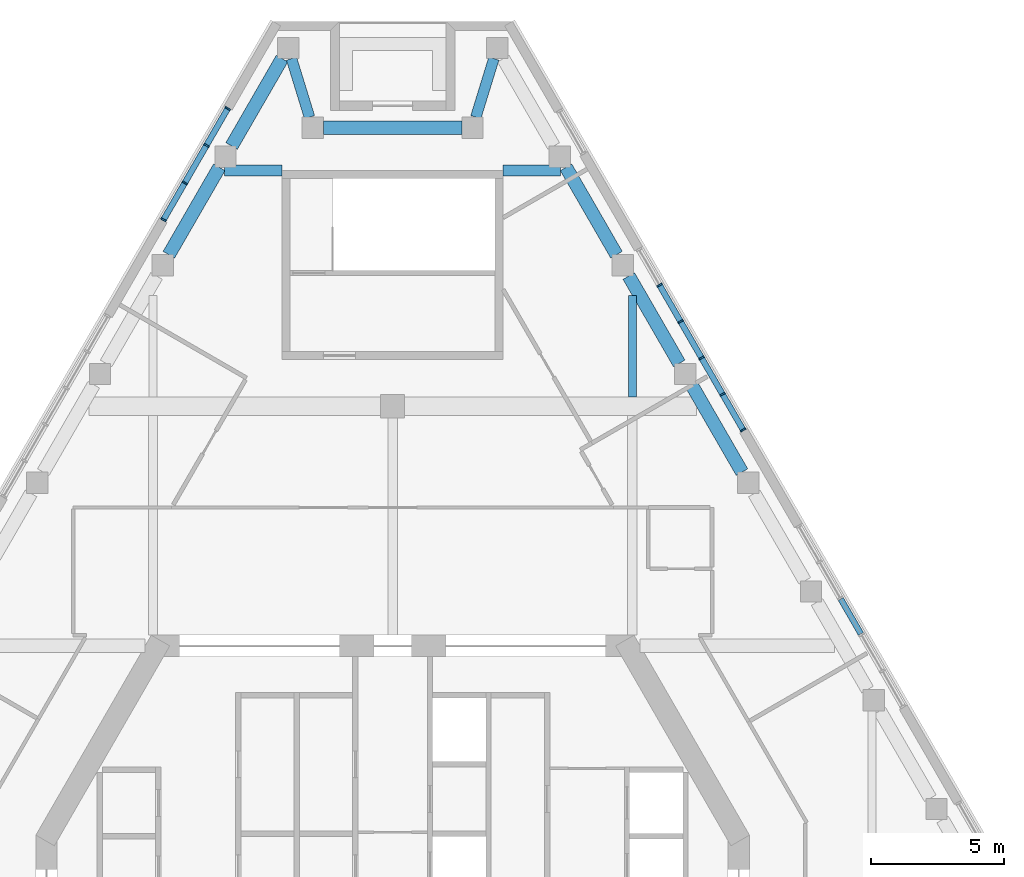
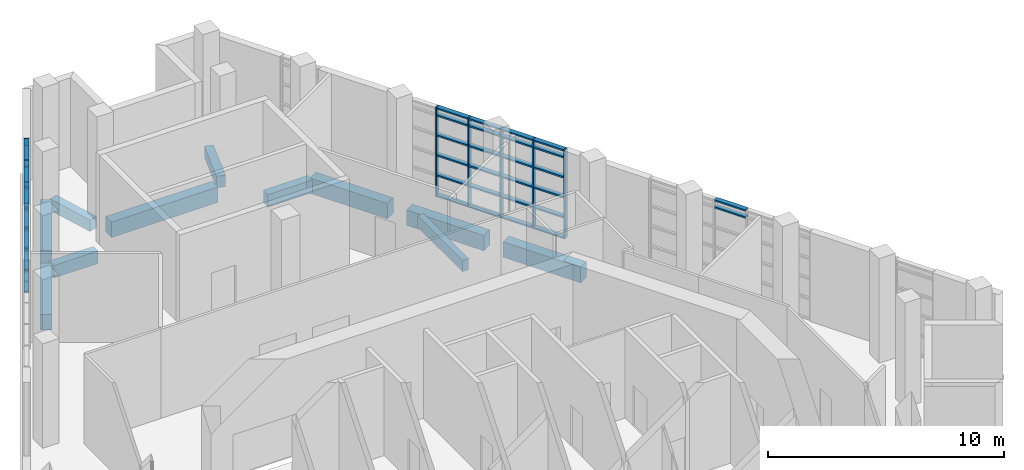
# One storey, part 5 of 13: 53 members, 11 beams, 3 elements without a shape of their own.
"""IFC4 building model written with IfcOpenShell, lengths in metres."""

from ifc_helpers import new_model, si_unit, direction, frame, origin, origin_2d, place, context, subcontext, project, spatial, rectangle, extrude, material, material_profile, profile_set, type_object, element, aggregate, save


model = new_model("IFC4")

# Units and contexts
model_context = context("Model", 3, precision=1e-05, world=origin(), true_north=direction((0.0, 1.0)))
body_context = subcontext(model_context, "Body", "Model", "MODEL_VIEW")
ifc_project = project(units=[si_unit("LENGTHUNIT", "METRE"), si_unit("AREAUNIT", "SQUARE_METRE"), si_unit("VOLUMEUNIT", "CUBIC_METRE"), si_unit("PLANEANGLEUNIT", "RADIAN"), si_unit("MASSUNIT", "GRAM", prefix="KILO")], contexts=[model_context])

# Site, building, storey
site_placement = place(None, origin())
site = spatial("IfcSite", under=ifc_project, at=site_placement, CompositionType="ELEMENT")
building_placement = place(site_placement, origin())
building = spatial("IfcBuilding", under=site, at=building_placement, Name="Fogline Exchange Tower", CompositionType="ELEMENT")
storey_placement = place(building_placement, frame((0.0, 0.0, 339.300048828125)))
storey = spatial("IfcBuildingStorey", under=building, at=storey_placement, Name="L77", CompositionType="ELEMENT", Elevation=339.300048828125)

# Beams
ifc_material_1 = material(Name="Concrete C40", Category="concrete")
ifc_material_profile_1 = material_profile(ifc_material_1, rectangle(XDim=0.300048828125, YDim=0.60009765625, at=origin_2d()), Name="RC 300x600")
ifc_profile_set_1 = profile_set([ifc_material_profile_1], Name="Concrete C40")
beam_type_1 = type_object("IfcBeamType", Name="B06", PredefinedType="BEAM", material=ifc_profile_set_1)
beam_1_placement = place(storey_placement, frame((9.0, 27.35009765625, -0.699951171875), z_axis=(0.0, 1.0, 0.0), x_axis=(-1.0, 0.0, 0.0)))
element("IfcBeam", 1, at=beam_1_placement, inside=storey, type_object=beam_type_1, Name="SB007", PredefinedType="BEAM", context=body_context, shape_type="SweptSolid", body=[
    extrude(rectangle(XDim=0.300048828125, YDim=0.60009765625, at=origin_2d()), origin(), (0.0, 0.0, 1.0), 3.812255859375),
])
ifc_material_profile_2 = material_profile(ifc_material_1, rectangle(XDim=0.5, YDim=0.800048828125, at=origin_2d()), Name="RC 500x800")
ifc_profile_set_2 = profile_set([ifc_material_profile_2], Name="Concrete C40")
beam_type_2 = type_object("IfcBeamType", Name="B10", PredefinedType="BEAM", material=ifc_profile_set_2)
for number, where, z_axis, x_axis, name in (
    (2, (13.12060546875, 24.525390625, -0.800048828125), (-0.500045805297, 0.865998956469, 0.0), (-0.865998956469, -0.500045805297, 0.0), "RB013"),
    (3, (10.76318359375, 28.608154296875, -0.800048828125), (-0.499969613651, 0.86604294664, 0.0), (-0.86604294664, -0.499969613651, 0.0), "RB014"),
    (4, (8.406005859375, 32.69091796875, -0.800048828125), (-0.499969613651, 0.86604294664, 0.0), (-0.86604294664, -0.499969613651, 0.0), "RB015"),
):
    element("IfcBeam", number, at=place(storey_placement, frame(where, z_axis=z_axis, x_axis=x_axis)), inside=storey, type_object=beam_type_2, Name=name, PredefinedType="BEAM", context=body_context, shape_type="SweptSolid", body=[
        extrude(rectangle(XDim=0.5, YDim=0.800048828125, at=origin_2d()), origin(), (0.0, 0.0, 1.0), 3.790771484375),
    ])
beam_2_placement = place(storey_placement, frame((2.60009765625, 37.456787109375, -0.800048828125), z_axis=(-1.0, 0.0, 0.0), x_axis=(0.0, -1.0, 0.0)))
element("IfcBeam", 5, at=beam_2_placement, inside=storey, type_object=beam_type_2, Name="RB018", PredefinedType="BEAM", context=body_context, shape_type="SweptSolid", body=[
    extrude(rectangle(XDim=0.5, YDim=0.800048828125, at=origin_2d()), origin(), (0.0, 0.0, 1.0), 5.2001953125),
])
for number, where, z_axis, x_axis, name in (
    (6, (-4.153564453125, 40.056640625, -0.800048828125), (-0.499969613651, -0.86604294664, 0.0), (0.86604294664, -0.499969613651, 0.0), "RB020"),
    (7, (-6.5107421875, 35.973876953125, -0.800048828125), (-0.499969613651, -0.86604294664, 0.0), (0.86604294664, -0.499969613651, 0.0), "RB021"),
):
    element("IfcBeam", number, at=place(storey_placement, frame(where, z_axis=z_axis, x_axis=x_axis)), inside=storey, type_object=beam_type_2, Name=name, PredefinedType="BEAM", context=body_context, shape_type="SweptSolid", body=[
        extrude(rectangle(XDim=0.5, YDim=0.800048828125, at=origin_2d()), origin(), (0.0, 0.0, 1.0), 3.790771484375),
    ])
ifc_material_profile_3 = material_profile(ifc_material_1, rectangle(XDim=0.39990234375, YDim=0.60009765625, at=origin_2d()), Name="RC 400x600")
ifc_profile_set_3 = profile_set([ifc_material_profile_3], Name="Concrete C40")
beam_type_3 = type_object("IfcBeamType", Name="B11", PredefinedType="BEAM", material=ifc_profile_set_3)
for number, where, z_axis, x_axis, name in (
    (8, (3.799560546875, 40.056640625, -0.699951171875), (-0.293929314998, -0.955827158949, 0.0), (0.955827158949, -0.293929314998, 0.0), "RB017"),
    (9, (-3.123046875, 37.856689453125, -0.699951171875), (-0.293929314998, 0.955827158949, 0.0), (-0.955827158949, -0.293929314998, 0.0), "RB019"),
):
    element("IfcBeam", number, at=place(storey_placement, frame(where, z_axis=z_axis, x_axis=x_axis)), inside=storey, type_object=beam_type_3, Name=name, PredefinedType="BEAM", context=body_context, shape_type="SweptSolid", body=[
        extrude(rectangle(XDim=0.39990234375, YDim=0.60009765625, at=origin_2d()), origin(), (0.0, 0.0, 1.0), 2.301513671875),
    ])
ifc_material_profile_4 = material_profile(ifc_material_1, rectangle(XDim=0.39990234375, YDim=0.64990234375, at=origin_2d()), Name="RC 400x650")
ifc_profile_set_4 = profile_set([ifc_material_profile_4], Name="Concrete C40")
beam_type_4 = type_object("IfcBeamType", Name="B13", PredefinedType="BEAM", material=ifc_profile_set_4)
for number, where, z_axis, x_axis, name in (
    (10, (-6.308349609375, 35.85693359375, -0.72509765625), (1.0, 0.0, 0.0), (0.0, 1.0, 0.0), "GB007"),
    (11, (4.14990234375, 35.85693359375, -0.72509765625), (1.0, 0.0, 0.0), (0.0, 1.0, 0.0), "GB008"),
):
    element("IfcBeam", number, at=place(storey_placement, frame(where, z_axis=z_axis, x_axis=x_axis)), inside=storey, type_object=beam_type_4, Name=name, PredefinedType="BEAM", context=body_context, shape_type="SweptSolid", body=[
        extrude(rectangle(XDim=0.39990234375, YDim=0.64990234375, at=origin_2d()), origin(), (0.0, 0.0, 1.0), 2.158447265625),
    ])

# Curtain wall, members
ifc_material_2 = material(Name="Aluminium and glass", Category="aluminium")
curtain_wall_type = type_object("IfcCurtainWallType", Name="CW5", PredefinedType="NOTDEFINED", material=ifc_material_2)
curtain_wall_1_placement = place(storey_placement, origin())
curtain_wall_1 = element("IfcCurtainWall", 12, at=curtain_wall_1_placement, inside=storey, type_object=curtain_wall_type, Name="CW5 L77 E run 3", PredefinedType="NOTDEFINED")
ifc_material_3 = material(Name="Aluminium", Category="aluminium")
ifc_material_profile_5 = material_profile(ifc_material_3, rectangle(XDim=0.219970703125, YDim=0.06494140625, at=origin_2d()), Name="Mullion 65x220")
ifc_profile_set_5 = profile_set([ifc_material_profile_5], Name="Aluminium")
member_type_1 = type_object("IfcMemberType", Name="CW5-M", PredefinedType="MULLION", material=ifc_profile_set_5)
member_1_placement = place(storey_placement, frame((13.162841796875, 26.1123046875, 0.0), z_axis=(0.0, 0.0, 1.0), x_axis=(-0.866025393993, -0.500000016959, 0.0)))
member_1 = element("IfcMember", 13, at=member_1_placement, type_object=member_type_1, Name="CW5-T25-04 mullion 1", PredefinedType="MULLION", context=body_context, shape_type="SweptSolid", body=[
    extrude(rectangle(XDim=0.219970703125, YDim=0.06494140625, at=origin_2d()), origin(), (0.0, 0.0, 1.0), 4.599853515625),
])
member_2_placement = place(storey_placement, frame((12.390625, 27.449951171875, 0.0), z_axis=(0.0, 0.0, 1.0), x_axis=(-0.866025393993, -0.500000016959, 0.0)))
member_2 = element("IfcMember", 14, at=member_2_placement, type_object=member_type_1, Name="CW5-T25-04 mullion 2", PredefinedType="MULLION", context=body_context, shape_type="SweptSolid", body=[
    extrude(rectangle(XDim=0.219970703125, YDim=0.06494140625, at=origin_2d()), origin(), (0.0, 0.0, 1.0), 4.599853515625),
])
member_3_placement = place(storey_placement, frame((11.60205078125, 28.815673828125, 0.0), z_axis=(0.0, 0.0, 1.0), x_axis=(-0.866025393993, -0.500000016959, 0.0)))
member_3 = element("IfcMember", 15, at=member_3_placement, type_object=member_type_1, Name="CW5-T25-04 mullion 3", PredefinedType="MULLION", context=body_context, shape_type="SweptSolid", body=[
    extrude(rectangle(XDim=0.219970703125, YDim=0.06494140625, at=origin_2d()), origin(), (0.0, 0.0, 1.0), 4.599853515625),
])
member_4_placement = place(storey_placement, frame((10.8134765625, 30.181396484375, 0.0), z_axis=(0.0, 0.0, 1.0), x_axis=(-0.866025393993, -0.500000016959, 0.0)))
member_4 = element("IfcMember", 16, at=member_4_placement, type_object=member_type_1, Name="CW5-T25-04 mullion 4", PredefinedType="MULLION", context=body_context, shape_type="SweptSolid", body=[
    extrude(rectangle(XDim=0.219970703125, YDim=0.06494140625, at=origin_2d()), origin(), (0.0, 0.0, 1.0), 4.599853515625),
])
member_5_placement = place(storey_placement, frame((10.025146484375, 31.547119140625, 0.0), z_axis=(0.0, 0.0, 1.0), x_axis=(-0.866025393993, -0.500000016959, 0.0)))
member_5 = element("IfcMember", 17, at=member_5_placement, type_object=member_type_1, Name="CW5-T25-04 mullion 5", PredefinedType="MULLION", context=body_context, shape_type="SweptSolid", body=[
    extrude(rectangle(XDim=0.219970703125, YDim=0.06494140625, at=origin_2d()), origin(), (0.0, 0.0, 1.0), 4.599853515625),
])

curtain_wall_2_placement = place(storey_placement, origin())
curtain_wall_2 = element("IfcCurtainWall", 18, at=curtain_wall_2_placement, inside=storey, type_object=curtain_wall_type, Name="CW5 L77 W run 1", PredefinedType="NOTDEFINED")
member_6_placement = place(storey_placement, frame((-6.1953125, 38.180419921875, 0.0), z_axis=(0.0, 0.0, 1.0), x_axis=(0.866025194083, -0.500000363213, 0.0)))
member_6 = element("IfcMember", 19, at=member_6_placement, type_object=member_type_1, Name="CW5-T25-06 mullion 1", PredefinedType="MULLION", context=body_context, shape_type="SweptSolid", body=[
    extrude(rectangle(XDim=0.219970703125, YDim=0.06494140625, at=origin_2d()), origin(), (0.0, 0.0, 1.0), 4.599853515625),
])
member_7_placement = place(storey_placement, frame((-6.9931640625, 36.79833984375, 0.0), z_axis=(0.0, 0.0, 1.0), x_axis=(0.866025194083, -0.500000363213, 0.0)))
member_7 = element("IfcMember", 20, at=member_7_placement, type_object=member_type_1, Name="CW5-T25-06 mullion 2", PredefinedType="MULLION", context=body_context, shape_type="SweptSolid", body=[
    extrude(rectangle(XDim=0.219970703125, YDim=0.06494140625, at=origin_2d()), origin(), (0.0, 0.0, 1.0), 4.599853515625),
])
member_8_placement = place(storey_placement, frame((-7.807373046875, 35.38818359375, 0.0), z_axis=(0.0, 0.0, 1.0), x_axis=(0.866025194083, -0.500000363213, 0.0)))
member_8 = element("IfcMember", 21, at=member_8_placement, type_object=member_type_1, Name="CW5-T25-06 mullion 3", PredefinedType="MULLION", context=body_context, shape_type="SweptSolid", body=[
    extrude(rectangle(XDim=0.219970703125, YDim=0.06494140625, at=origin_2d()), origin(), (0.0, 0.0, 1.0), 4.599853515625),
])
member_9_placement = place(storey_placement, frame((-8.605224609375, 34.006103515625, 0.0), z_axis=(0.0, 0.0, 1.0), x_axis=(0.866025194083, -0.500000363213, 0.0)))
member_9 = element("IfcMember", 22, at=member_9_placement, type_object=member_type_1, Name="CW5-T25-06 mullion 4", PredefinedType="MULLION", context=body_context, shape_type="SweptSolid", body=[
    extrude(rectangle(XDim=0.219970703125, YDim=0.06494140625, at=origin_2d()), origin(), (0.0, 0.0, 1.0), 4.599853515625),
])

curtain_wall_3_placement = place(storey_placement, origin())
curtain_wall_3 = element("IfcCurtainWall", 23, at=curtain_wall_3_placement, inside=storey, type_object=curtain_wall_type, Name="CW5 L77 E run 2", PredefinedType="NOTDEFINED")
ifc_material_profile_6 = material_profile(ifc_material_3, rectangle(XDim=0.219970703125, YDim=0.080078125, at=origin_2d()), Name="Transom 80x220")
ifc_profile_set_6 = profile_set([ifc_material_profile_6], Name="Aluminium")
member_type_2 = type_object("IfcMemberType", Name="CW5-T", PredefinedType="USERDEFINED", material=ifc_profile_set_6)
member_10_placement = place(storey_placement, frame((17.585693359375, 18.451416015625, 4.199951171875), z_axis=(-0.499960093054, 0.866048442845, 0.0), x_axis=(-0.866048442845, -0.499960093054, 0.0)))
member_10 = element("IfcMember", 24, at=member_10_placement, type_object=member_type_2, Name="CW5-T25-03 transom 3.5", ObjectType="TRANSOM", PredefinedType="USERDEFINED", context=body_context, shape_type="SweptSolid", body=[
    extrude(rectangle(XDim=0.219970703125, YDim=0.080078125, at=origin_2d()), origin(), (0.0, 0.0, 1.0), 1.51171875),
])
member_11_placement = place(storey_placement, frame((17.585693359375, 18.451416015625, 4.56005859375), z_axis=(-0.499960093054, 0.866048442845, 0.0), x_axis=(-0.866048442845, -0.499960093054, 0.0)))
member_11 = element("IfcMember", 25, at=member_11_placement, type_object=member_type_2, Name="CW5-T25-03 transom 3.6", ObjectType="TRANSOM", PredefinedType="USERDEFINED", context=body_context, shape_type="SweptSolid", body=[
    extrude(rectangle(XDim=0.219970703125, YDim=0.080078125, at=origin_2d()), origin(), (0.0, 0.0, 1.0), 1.51171875),
])
aggregate(curtain_wall_3, [member_10, member_11])

# Member
member_12_placement = place(storey_placement, frame((13.146484375, 26.140380859375, 0.0400390625), z_axis=(-0.500008142102, 0.866020702889, 0.0), x_axis=(-0.866020702889, -0.500008142102, 0.0)))
member_12 = element("IfcMember", 26, at=member_12_placement, type_object=member_type_2, Name="CW5-T25-04 transom 1.1", ObjectType="TRANSOM", PredefinedType="USERDEFINED", context=body_context, shape_type="SweptSolid", body=[
    extrude(rectangle(XDim=0.219970703125, YDim=0.080078125, at=origin_2d()), origin(), (0.0, 0.0, 1.0), 1.4794921875),
])

member_13_placement = place(storey_placement, frame((13.146484375, 26.140380859375, 1.099853515625), z_axis=(-0.500008142102, 0.866020702889, 0.0), x_axis=(-0.866020702889, -0.500008142102, 0.0)))
member_13 = element("IfcMember", 27, at=member_13_placement, type_object=member_type_2, Name="CW5-T25-04 transom 1.2", ObjectType="TRANSOM", PredefinedType="USERDEFINED", context=body_context, shape_type="SweptSolid", body=[
    extrude(rectangle(XDim=0.219970703125, YDim=0.080078125, at=origin_2d()), origin(), (0.0, 0.0, 1.0), 1.4794921875),
])

member_14_placement = place(storey_placement, frame((13.146484375, 26.140380859375, 2.13330078125), z_axis=(-0.500008142102, 0.866020702889, 0.0), x_axis=(-0.866020702889, -0.500008142102, 0.0)))
member_14 = element("IfcMember", 28, at=member_14_placement, type_object=member_type_2, Name="CW5-T25-04 transom 1.3", ObjectType="TRANSOM", PredefinedType="USERDEFINED", context=body_context, shape_type="SweptSolid", body=[
    extrude(rectangle(XDim=0.219970703125, YDim=0.080078125, at=origin_2d()), origin(), (0.0, 0.0, 1.0), 1.4794921875),
])

member_15_placement = place(storey_placement, frame((13.146484375, 26.140380859375, 3.166748046875), z_axis=(-0.500008142102, 0.866020702889, 0.0), x_axis=(-0.866020702889, -0.500008142102, 0.0)))
member_15 = element("IfcMember", 29, at=member_15_placement, type_object=member_type_2, Name="CW5-T25-04 transom 1.4", ObjectType="TRANSOM", PredefinedType="USERDEFINED", context=body_context, shape_type="SweptSolid", body=[
    extrude(rectangle(XDim=0.219970703125, YDim=0.080078125, at=origin_2d()), origin(), (0.0, 0.0, 1.0), 1.4794921875),
])

member_16_placement = place(storey_placement, frame((13.146484375, 26.140380859375, 4.199951171875), z_axis=(-0.500008142102, 0.866020702889, 0.0), x_axis=(-0.866020702889, -0.500008142102, 0.0)))
member_16 = element("IfcMember", 30, at=member_16_placement, type_object=member_type_2, Name="CW5-T25-04 transom 1.5", ObjectType="TRANSOM", PredefinedType="USERDEFINED", context=body_context, shape_type="SweptSolid", body=[
    extrude(rectangle(XDim=0.219970703125, YDim=0.080078125, at=origin_2d()), origin(), (0.0, 0.0, 1.0), 1.4794921875),
])

member_17_placement = place(storey_placement, frame((13.146484375, 26.140380859375, 4.56005859375), z_axis=(-0.500008142102, 0.866020702889, 0.0), x_axis=(-0.866020702889, -0.500008142102, 0.0)))
member_17 = element("IfcMember", 31, at=member_17_placement, type_object=member_type_2, Name="CW5-T25-04 transom 1.6", ObjectType="TRANSOM", PredefinedType="USERDEFINED", context=body_context, shape_type="SweptSolid", body=[
    extrude(rectangle(XDim=0.219970703125, YDim=0.080078125, at=origin_2d()), origin(), (0.0, 0.0, 1.0), 1.4794921875),
])

member_18_placement = place(storey_placement, frame((12.374267578125, 27.47802734375, 0.0400390625), z_axis=(-0.500081199194, 0.865978518332, 0.0), x_axis=(-0.865978518332, -0.500081199194, 0.0)))
member_18 = element("IfcMember", 32, at=member_18_placement, type_object=member_type_2, Name="CW5-T25-04 transom 2.1", ObjectType="TRANSOM", PredefinedType="USERDEFINED", context=body_context, shape_type="SweptSolid", body=[
    extrude(rectangle(XDim=0.219970703125, YDim=0.080078125, at=origin_2d()), origin(), (0.0, 0.0, 1.0), 1.511962890625),
])

member_19_placement = place(storey_placement, frame((12.374267578125, 27.47802734375, 1.099853515625), z_axis=(-0.500081199194, 0.865978518332, 0.0), x_axis=(-0.865978518332, -0.500081199194, 0.0)))
member_19 = element("IfcMember", 33, at=member_19_placement, type_object=member_type_2, Name="CW5-T25-04 transom 2.2", ObjectType="TRANSOM", PredefinedType="USERDEFINED", context=body_context, shape_type="SweptSolid", body=[
    extrude(rectangle(XDim=0.219970703125, YDim=0.080078125, at=origin_2d()), origin(), (0.0, 0.0, 1.0), 1.511962890625),
])

member_20_placement = place(storey_placement, frame((12.374267578125, 27.47802734375, 2.13330078125), z_axis=(-0.500081199194, 0.865978518332, 0.0), x_axis=(-0.865978518332, -0.500081199194, 0.0)))
member_20 = element("IfcMember", 34, at=member_20_placement, type_object=member_type_2, Name="CW5-T25-04 transom 2.3", ObjectType="TRANSOM", PredefinedType="USERDEFINED", context=body_context, shape_type="SweptSolid", body=[
    extrude(rectangle(XDim=0.219970703125, YDim=0.080078125, at=origin_2d()), origin(), (0.0, 0.0, 1.0), 1.511962890625),
])

member_21_placement = place(storey_placement, frame((12.374267578125, 27.47802734375, 3.166748046875), z_axis=(-0.500081199194, 0.865978518332, 0.0), x_axis=(-0.865978518332, -0.500081199194, 0.0)))
member_21 = element("IfcMember", 35, at=member_21_placement, type_object=member_type_2, Name="CW5-T25-04 transom 2.4", ObjectType="TRANSOM", PredefinedType="USERDEFINED", context=body_context, shape_type="SweptSolid", body=[
    extrude(rectangle(XDim=0.219970703125, YDim=0.080078125, at=origin_2d()), origin(), (0.0, 0.0, 1.0), 1.511962890625),
])

member_22_placement = place(storey_placement, frame((12.374267578125, 27.47802734375, 4.199951171875), z_axis=(-0.500081199194, 0.865978518332, 0.0), x_axis=(-0.865978518332, -0.500081199194, 0.0)))
member_22 = element("IfcMember", 36, at=member_22_placement, type_object=member_type_2, Name="CW5-T25-04 transom 2.5", ObjectType="TRANSOM", PredefinedType="USERDEFINED", context=body_context, shape_type="SweptSolid", body=[
    extrude(rectangle(XDim=0.219970703125, YDim=0.080078125, at=origin_2d()), origin(), (0.0, 0.0, 1.0), 1.511962890625),
])

member_23_placement = place(storey_placement, frame((12.374267578125, 27.47802734375, 4.56005859375), z_axis=(-0.500081199194, 0.865978518332, 0.0), x_axis=(-0.865978518332, -0.500081199194, 0.0)))
member_23 = element("IfcMember", 37, at=member_23_placement, type_object=member_type_2, Name="CW5-T25-04 transom 2.6", ObjectType="TRANSOM", PredefinedType="USERDEFINED", context=body_context, shape_type="SweptSolid", body=[
    extrude(rectangle(XDim=0.219970703125, YDim=0.080078125, at=origin_2d()), origin(), (0.0, 0.0, 1.0), 1.511962890625),
])

member_24_placement = place(storey_placement, frame((11.585693359375, 28.84375, 0.0400390625), z_axis=(-0.499960093054, 0.866048442845, 0.0), x_axis=(-0.866048442845, -0.499960093054, 0.0)))
member_24 = element("IfcMember", 38, at=member_24_placement, type_object=member_type_2, Name="CW5-T25-04 transom 3.1", ObjectType="TRANSOM", PredefinedType="USERDEFINED", context=body_context, shape_type="SweptSolid", body=[
    extrude(rectangle(XDim=0.219970703125, YDim=0.080078125, at=origin_2d()), origin(), (0.0, 0.0, 1.0), 1.51171875),
])

member_25_placement = place(storey_placement, frame((11.585693359375, 28.84375, 1.099853515625), z_axis=(-0.499960093054, 0.866048442845, 0.0), x_axis=(-0.866048442845, -0.499960093054, 0.0)))
member_25 = element("IfcMember", 39, at=member_25_placement, type_object=member_type_2, Name="CW5-T25-04 transom 3.2", ObjectType="TRANSOM", PredefinedType="USERDEFINED", context=body_context, shape_type="SweptSolid", body=[
    extrude(rectangle(XDim=0.219970703125, YDim=0.080078125, at=origin_2d()), origin(), (0.0, 0.0, 1.0), 1.51171875),
])

member_26_placement = place(storey_placement, frame((11.585693359375, 28.84375, 2.13330078125), z_axis=(-0.499960093054, 0.866048442845, 0.0), x_axis=(-0.866048442845, -0.499960093054, 0.0)))
member_26 = element("IfcMember", 40, at=member_26_placement, type_object=member_type_2, Name="CW5-T25-04 transom 3.3", ObjectType="TRANSOM", PredefinedType="USERDEFINED", context=body_context, shape_type="SweptSolid", body=[
    extrude(rectangle(XDim=0.219970703125, YDim=0.080078125, at=origin_2d()), origin(), (0.0, 0.0, 1.0), 1.51171875),
])

member_27_placement = place(storey_placement, frame((11.585693359375, 28.84375, 3.166748046875), z_axis=(-0.499960093054, 0.866048442845, 0.0), x_axis=(-0.866048442845, -0.499960093054, 0.0)))
member_27 = element("IfcMember", 41, at=member_27_placement, type_object=member_type_2, Name="CW5-T25-04 transom 3.4", ObjectType="TRANSOM", PredefinedType="USERDEFINED", context=body_context, shape_type="SweptSolid", body=[
    extrude(rectangle(XDim=0.219970703125, YDim=0.080078125, at=origin_2d()), origin(), (0.0, 0.0, 1.0), 1.51171875),
])

member_28_placement = place(storey_placement, frame((11.585693359375, 28.84375, 4.199951171875), z_axis=(-0.499960093054, 0.866048442845, 0.0), x_axis=(-0.866048442845, -0.499960093054, 0.0)))
member_28 = element("IfcMember", 42, at=member_28_placement, type_object=member_type_2, Name="CW5-T25-04 transom 3.5", ObjectType="TRANSOM", PredefinedType="USERDEFINED", context=body_context, shape_type="SweptSolid", body=[
    extrude(rectangle(XDim=0.219970703125, YDim=0.080078125, at=origin_2d()), origin(), (0.0, 0.0, 1.0), 1.51171875),
])

member_29_placement = place(storey_placement, frame((11.585693359375, 28.84375, 4.56005859375), z_axis=(-0.499960093054, 0.866048442845, 0.0), x_axis=(-0.866048442845, -0.499960093054, 0.0)))
member_29 = element("IfcMember", 43, at=member_29_placement, type_object=member_type_2, Name="CW5-T25-04 transom 3.6", ObjectType="TRANSOM", PredefinedType="USERDEFINED", context=body_context, shape_type="SweptSolid", body=[
    extrude(rectangle(XDim=0.219970703125, YDim=0.080078125, at=origin_2d()), origin(), (0.0, 0.0, 1.0), 1.51171875),
])

member_30_placement = place(storey_placement, frame((10.79736328125, 30.20947265625, 0.0400390625), z_axis=(-0.500081199194, 0.865978518332, 0.0), x_axis=(-0.865978518332, -0.500081199194, 0.0)))
member_30 = element("IfcMember", 44, at=member_30_placement, type_object=member_type_2, Name="CW5-T25-04 transom 4.1", ObjectType="TRANSOM", PredefinedType="USERDEFINED", context=body_context, shape_type="SweptSolid", body=[
    extrude(rectangle(XDim=0.219970703125, YDim=0.080078125, at=origin_2d()), origin(), (0.0, 0.0, 1.0), 1.511962890625),
])

member_31_placement = place(storey_placement, frame((10.79736328125, 30.20947265625, 1.099853515625), z_axis=(-0.500081199194, 0.865978518332, 0.0), x_axis=(-0.865978518332, -0.500081199194, 0.0)))
member_31 = element("IfcMember", 45, at=member_31_placement, type_object=member_type_2, Name="CW5-T25-04 transom 4.2", ObjectType="TRANSOM", PredefinedType="USERDEFINED", context=body_context, shape_type="SweptSolid", body=[
    extrude(rectangle(XDim=0.219970703125, YDim=0.080078125, at=origin_2d()), origin(), (0.0, 0.0, 1.0), 1.511962890625),
])

member_32_placement = place(storey_placement, frame((10.79736328125, 30.20947265625, 2.13330078125), z_axis=(-0.500081199194, 0.865978518332, 0.0), x_axis=(-0.865978518332, -0.500081199194, 0.0)))
member_32 = element("IfcMember", 46, at=member_32_placement, type_object=member_type_2, Name="CW5-T25-04 transom 4.3", ObjectType="TRANSOM", PredefinedType="USERDEFINED", context=body_context, shape_type="SweptSolid", body=[
    extrude(rectangle(XDim=0.219970703125, YDim=0.080078125, at=origin_2d()), origin(), (0.0, 0.0, 1.0), 1.511962890625),
])

member_33_placement = place(storey_placement, frame((10.79736328125, 30.20947265625, 3.166748046875), z_axis=(-0.500081199194, 0.865978518332, 0.0), x_axis=(-0.865978518332, -0.500081199194, 0.0)))
member_33 = element("IfcMember", 47, at=member_33_placement, type_object=member_type_2, Name="CW5-T25-04 transom 4.4", ObjectType="TRANSOM", PredefinedType="USERDEFINED", context=body_context, shape_type="SweptSolid", body=[
    extrude(rectangle(XDim=0.219970703125, YDim=0.080078125, at=origin_2d()), origin(), (0.0, 0.0, 1.0), 1.511962890625),
])

member_34_placement = place(storey_placement, frame((10.79736328125, 30.20947265625, 4.199951171875), z_axis=(-0.500081199194, 0.865978518332, 0.0), x_axis=(-0.865978518332, -0.500081199194, 0.0)))
member_34 = element("IfcMember", 48, at=member_34_placement, type_object=member_type_2, Name="CW5-T25-04 transom 4.5", ObjectType="TRANSOM", PredefinedType="USERDEFINED", context=body_context, shape_type="SweptSolid", body=[
    extrude(rectangle(XDim=0.219970703125, YDim=0.080078125, at=origin_2d()), origin(), (0.0, 0.0, 1.0), 1.511962890625),
])

member_35_placement = place(storey_placement, frame((10.79736328125, 30.20947265625, 4.56005859375), z_axis=(-0.500081199194, 0.865978518332, 0.0), x_axis=(-0.865978518332, -0.500081199194, 0.0)))
member_35 = element("IfcMember", 49, at=member_35_placement, type_object=member_type_2, Name="CW5-T25-04 transom 4.6", ObjectType="TRANSOM", PredefinedType="USERDEFINED", context=body_context, shape_type="SweptSolid", body=[
    extrude(rectangle(XDim=0.219970703125, YDim=0.080078125, at=origin_2d()), origin(), (0.0, 0.0, 1.0), 1.511962890625),
])

aggregate(curtain_wall_1, [member_1, member_2, member_3, member_4, member_5, member_12, member_13, member_14, member_15, member_16, member_17, member_18, member_19, member_20, member_21, member_22, member_23, member_24, member_25, member_26, member_27, member_28, member_29, member_30, member_31, member_32, member_33, member_34, member_35])

member_36_placement = place(storey_placement, frame((-6.21142578125, 38.152099609375, 0.0400390625), z_axis=(-0.500118171981, -0.865957166409, 0.0), x_axis=(0.865957166409, -0.500118171981, 0.0)))
member_36 = element("IfcMember", 50, at=member_36_placement, type_object=member_type_2, Name="CW5-T25-06 transom 1.1", ObjectType="TRANSOM", PredefinedType="USERDEFINED", context=body_context, shape_type="SweptSolid", body=[
    extrude(rectangle(XDim=0.219970703125, YDim=0.080078125, at=origin_2d()), origin(), (0.0, 0.0, 1.0), 1.531005859375),
])

member_37_placement = place(storey_placement, frame((-6.21142578125, 38.152099609375, 1.099853515625), z_axis=(-0.500118171981, -0.865957166409, 0.0), x_axis=(0.865957166409, -0.500118171981, 0.0)))
member_37 = element("IfcMember", 51, at=member_37_placement, type_object=member_type_2, Name="CW5-T25-06 transom 1.2", ObjectType="TRANSOM", PredefinedType="USERDEFINED", context=body_context, shape_type="SweptSolid", body=[
    extrude(rectangle(XDim=0.219970703125, YDim=0.080078125, at=origin_2d()), origin(), (0.0, 0.0, 1.0), 1.531005859375),
])

member_38_placement = place(storey_placement, frame((-6.21142578125, 38.152099609375, 2.13330078125), z_axis=(-0.500118171981, -0.865957166409, 0.0), x_axis=(0.865957166409, -0.500118171981, 0.0)))
member_38 = element("IfcMember", 52, at=member_38_placement, type_object=member_type_2, Name="CW5-T25-06 transom 1.3", ObjectType="TRANSOM", PredefinedType="USERDEFINED", context=body_context, shape_type="SweptSolid", body=[
    extrude(rectangle(XDim=0.219970703125, YDim=0.080078125, at=origin_2d()), origin(), (0.0, 0.0, 1.0), 1.531005859375),
])

member_39_placement = place(storey_placement, frame((-6.21142578125, 38.152099609375, 3.166748046875), z_axis=(-0.500118171981, -0.865957166409, 0.0), x_axis=(0.865957166409, -0.500118171981, 0.0)))
member_39 = element("IfcMember", 53, at=member_39_placement, type_object=member_type_2, Name="CW5-T25-06 transom 1.4", ObjectType="TRANSOM", PredefinedType="USERDEFINED", context=body_context, shape_type="SweptSolid", body=[
    extrude(rectangle(XDim=0.219970703125, YDim=0.080078125, at=origin_2d()), origin(), (0.0, 0.0, 1.0), 1.531005859375),
])

member_40_placement = place(storey_placement, frame((-6.21142578125, 38.152099609375, 4.199951171875), z_axis=(-0.500118171981, -0.865957166409, 0.0), x_axis=(0.865957166409, -0.500118171981, 0.0)))
member_40 = element("IfcMember", 54, at=member_40_placement, type_object=member_type_2, Name="CW5-T25-06 transom 1.5", ObjectType="TRANSOM", PredefinedType="USERDEFINED", context=body_context, shape_type="SweptSolid", body=[
    extrude(rectangle(XDim=0.219970703125, YDim=0.080078125, at=origin_2d()), origin(), (0.0, 0.0, 1.0), 1.531005859375),
])

member_41_placement = place(storey_placement, frame((-6.21142578125, 38.152099609375, 4.56005859375), z_axis=(-0.500118171981, -0.865957166409, 0.0), x_axis=(0.865957166409, -0.500118171981, 0.0)))
member_41 = element("IfcMember", 55, at=member_41_placement, type_object=member_type_2, Name="CW5-T25-06 transom 1.6", ObjectType="TRANSOM", PredefinedType="USERDEFINED", context=body_context, shape_type="SweptSolid", body=[
    extrude(rectangle(XDim=0.219970703125, YDim=0.080078125, at=origin_2d()), origin(), (0.0, 0.0, 1.0), 1.531005859375),
])

member_42_placement = place(storey_placement, frame((-7.009521484375, 36.770263671875, 0.0400390625), z_axis=(-0.499884676234, -0.866091975755, 0.0), x_axis=(0.866091975755, -0.499884676234, 0.0)))
member_42 = element("IfcMember", 56, at=member_42_placement, type_object=member_type_2, Name="CW5-T25-06 transom 2.1", ObjectType="TRANSOM", PredefinedType="USERDEFINED", context=body_context, shape_type="SweptSolid", body=[
    extrude(rectangle(XDim=0.219970703125, YDim=0.080078125, at=origin_2d()), origin(), (0.0, 0.0, 1.0), 1.563232421875),
])

member_43_placement = place(storey_placement, frame((-7.009521484375, 36.770263671875, 1.099853515625), z_axis=(-0.499884676234, -0.866091975755, 0.0), x_axis=(0.866091975755, -0.499884676234, 0.0)))
member_43 = element("IfcMember", 57, at=member_43_placement, type_object=member_type_2, Name="CW5-T25-06 transom 2.2", ObjectType="TRANSOM", PredefinedType="USERDEFINED", context=body_context, shape_type="SweptSolid", body=[
    extrude(rectangle(XDim=0.219970703125, YDim=0.080078125, at=origin_2d()), origin(), (0.0, 0.0, 1.0), 1.563232421875),
])

member_44_placement = place(storey_placement, frame((-7.009521484375, 36.770263671875, 2.13330078125), z_axis=(-0.499884676234, -0.866091975755, 0.0), x_axis=(0.866091975755, -0.499884676234, 0.0)))
member_44 = element("IfcMember", 58, at=member_44_placement, type_object=member_type_2, Name="CW5-T25-06 transom 2.3", ObjectType="TRANSOM", PredefinedType="USERDEFINED", context=body_context, shape_type="SweptSolid", body=[
    extrude(rectangle(XDim=0.219970703125, YDim=0.080078125, at=origin_2d()), origin(), (0.0, 0.0, 1.0), 1.563232421875),
])

member_45_placement = place(storey_placement, frame((-7.009521484375, 36.770263671875, 3.166748046875), z_axis=(-0.499884676234, -0.866091975755, 0.0), x_axis=(0.866091975755, -0.499884676234, 0.0)))
member_45 = element("IfcMember", 59, at=member_45_placement, type_object=member_type_2, Name="CW5-T25-06 transom 2.4", ObjectType="TRANSOM", PredefinedType="USERDEFINED", context=body_context, shape_type="SweptSolid", body=[
    extrude(rectangle(XDim=0.219970703125, YDim=0.080078125, at=origin_2d()), origin(), (0.0, 0.0, 1.0), 1.563232421875),
])

member_46_placement = place(storey_placement, frame((-7.009521484375, 36.770263671875, 4.199951171875), z_axis=(-0.499884676234, -0.866091975755, 0.0), x_axis=(0.866091975755, -0.499884676234, 0.0)))
member_46 = element("IfcMember", 60, at=member_46_placement, type_object=member_type_2, Name="CW5-T25-06 transom 2.5", ObjectType="TRANSOM", PredefinedType="USERDEFINED", context=body_context, shape_type="SweptSolid", body=[
    extrude(rectangle(XDim=0.219970703125, YDim=0.080078125, at=origin_2d()), origin(), (0.0, 0.0, 1.0), 1.563232421875),
])

member_47_placement = place(storey_placement, frame((-7.009521484375, 36.770263671875, 4.56005859375), z_axis=(-0.499884676234, -0.866091975755, 0.0), x_axis=(0.866091975755, -0.499884676234, 0.0)))
member_47 = element("IfcMember", 61, at=member_47_placement, type_object=member_type_2, Name="CW5-T25-06 transom 2.6", ObjectType="TRANSOM", PredefinedType="USERDEFINED", context=body_context, shape_type="SweptSolid", body=[
    extrude(rectangle(XDim=0.219970703125, YDim=0.080078125, at=origin_2d()), origin(), (0.0, 0.0, 1.0), 1.563232421875),
])

member_48_placement = place(storey_placement, frame((-7.82373046875, 35.35986328125, 0.0400390625), z_axis=(-0.499998569178, -0.866026229868, 0.0), x_axis=(0.866026229868, -0.499998569178, 0.0)))
member_48 = element("IfcMember", 62, at=member_48_placement, type_object=member_type_2, Name="CW5-T25-06 transom 3.1", ObjectType="TRANSOM", PredefinedType="USERDEFINED", context=body_context, shape_type="SweptSolid", body=[
    extrude(rectangle(XDim=0.219970703125, YDim=0.080078125, at=origin_2d()), origin(), (0.0, 0.0, 1.0), 1.53076171875),
])

member_49_placement = place(storey_placement, frame((-7.82373046875, 35.35986328125, 1.099853515625), z_axis=(-0.499998569178, -0.866026229868, 0.0), x_axis=(0.866026229868, -0.499998569178, 0.0)))
member_49 = element("IfcMember", 63, at=member_49_placement, type_object=member_type_2, Name="CW5-T25-06 transom 3.2", ObjectType="TRANSOM", PredefinedType="USERDEFINED", context=body_context, shape_type="SweptSolid", body=[
    extrude(rectangle(XDim=0.219970703125, YDim=0.080078125, at=origin_2d()), origin(), (0.0, 0.0, 1.0), 1.53076171875),
])

member_50_placement = place(storey_placement, frame((-7.82373046875, 35.35986328125, 2.13330078125), z_axis=(-0.499998569178, -0.866026229868, 0.0), x_axis=(0.866026229868, -0.499998569178, 0.0)))
member_50 = element("IfcMember", 64, at=member_50_placement, type_object=member_type_2, Name="CW5-T25-06 transom 3.3", ObjectType="TRANSOM", PredefinedType="USERDEFINED", context=body_context, shape_type="SweptSolid", body=[
    extrude(rectangle(XDim=0.219970703125, YDim=0.080078125, at=origin_2d()), origin(), (0.0, 0.0, 1.0), 1.53076171875),
])

member_51_placement = place(storey_placement, frame((-7.82373046875, 35.35986328125, 3.166748046875), z_axis=(-0.499998569178, -0.866026229868, 0.0), x_axis=(0.866026229868, -0.499998569178, 0.0)))
member_51 = element("IfcMember", 65, at=member_51_placement, type_object=member_type_2, Name="CW5-T25-06 transom 3.4", ObjectType="TRANSOM", PredefinedType="USERDEFINED", context=body_context, shape_type="SweptSolid", body=[
    extrude(rectangle(XDim=0.219970703125, YDim=0.080078125, at=origin_2d()), origin(), (0.0, 0.0, 1.0), 1.53076171875),
])

member_52_placement = place(storey_placement, frame((-7.82373046875, 35.35986328125, 4.199951171875), z_axis=(-0.499998569178, -0.866026229868, 0.0), x_axis=(0.866026229868, -0.499998569178, 0.0)))
member_52 = element("IfcMember", 66, at=member_52_placement, type_object=member_type_2, Name="CW5-T25-06 transom 3.5", ObjectType="TRANSOM", PredefinedType="USERDEFINED", context=body_context, shape_type="SweptSolid", body=[
    extrude(rectangle(XDim=0.219970703125, YDim=0.080078125, at=origin_2d()), origin(), (0.0, 0.0, 1.0), 1.53076171875),
])

member_53_placement = place(storey_placement, frame((-7.82373046875, 35.35986328125, 4.56005859375), z_axis=(-0.499998569178, -0.866026229868, 0.0), x_axis=(0.866026229868, -0.499998569178, 0.0)))
member_53 = element("IfcMember", 67, at=member_53_placement, type_object=member_type_2, Name="CW5-T25-06 transom 3.6", ObjectType="TRANSOM", PredefinedType="USERDEFINED", context=body_context, shape_type="SweptSolid", body=[
    extrude(rectangle(XDim=0.219970703125, YDim=0.080078125, at=origin_2d()), origin(), (0.0, 0.0, 1.0), 1.53076171875),
])

aggregate(curtain_wall_2, [member_6, member_7, member_8, member_9, member_36, member_37, member_38, member_39, member_40, member_41, member_42, member_43, member_44, member_45, member_46, member_47, member_48, member_49, member_50, member_51, member_52, member_53])

save(model, "model.ifc")
